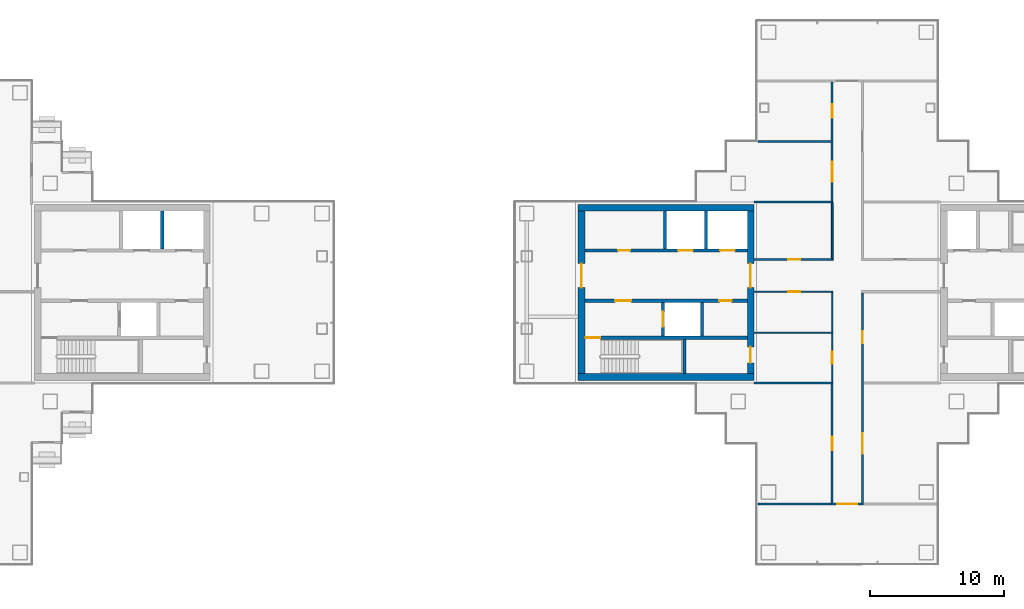
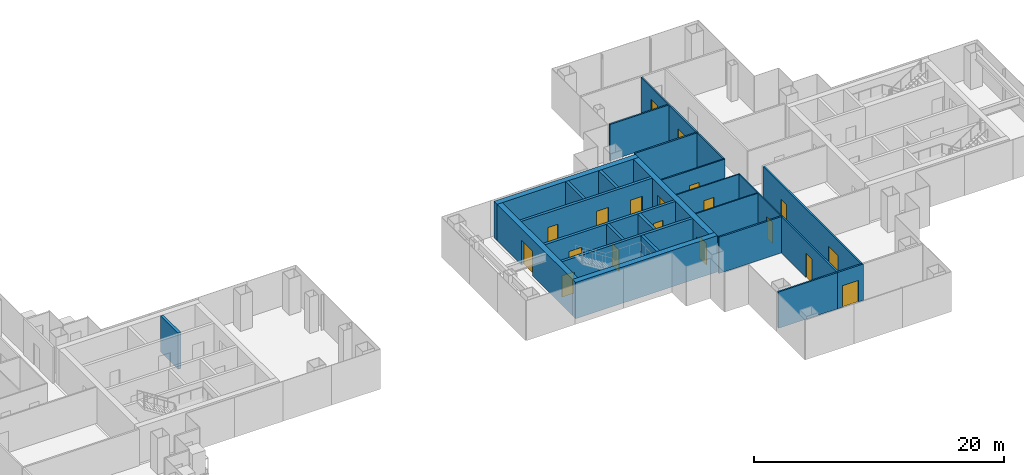
# One storey, part 11 of 16: 26 walls, 19 doors, 19 openings.
"""IFC4 building model written with IfcOpenShell, lengths in metres."""

from ifc_helpers import new_model, si_unit, direction, frame, frame_2d, origin, place, context, subcontext, project, spatial, rectangle, extrude, material, layer, layer_set, type_object, element, fill, save


model = new_model("IFC4")

# Units and contexts
model_context = context("Model", 3, precision=1e-05, world=origin(), true_north=direction((0.0, 1.0)))
body_context = subcontext(model_context, "Body", "Model", "MODEL_VIEW")
ifc_project = project(units=[si_unit("LENGTHUNIT", "METRE"), si_unit("AREAUNIT", "SQUARE_METRE"), si_unit("VOLUMEUNIT", "CUBIC_METRE"), si_unit("PLANEANGLEUNIT", "RADIAN"), si_unit("MASSUNIT", "GRAM", prefix="KILO")], contexts=[model_context])

# Site, building, storey
site_placement = place(None, origin())
site = spatial("IfcSite", under=ifc_project, at=site_placement, CompositionType="ELEMENT")
building_placement = place(site_placement, origin())
building = spatial("IfcBuilding", under=site, at=building_placement, Name="Shamsa Quay Exchange Towers", CompositionType="ELEMENT")
storey_placement = place(building_placement, frame((0.0, 0.0, 158.39990234375)))
storey = spatial("IfcBuildingStorey", under=building, at=storey_placement, Name="L37", CompositionType="ELEMENT", Elevation=158.39990234375)

# Walls
ifc_material_1 = material(Name="Concrete C60/75", Category="concrete")
ifc_layer_1 = layer(ifc_material_1, 0.5)
ifc_layer_set_1 = layer_set([ifc_layer_1], Name="CORE WALL 500 C60/75")
wall_type_1 = type_object("IfcWallType", Name="CORE WALL 500 C60/75", PredefinedType="SHEAR", material=ifc_layer_set_1)
for number, where, name in (
    (1, (13.699951171875, -6.300048828125, 0.0), "Core wall T2A-R17-PS"),
    (2, (13.699951171875, 6.300048828125, 0.0), "Core wall T2A-R17-PN"),
):
    element("IfcWall", number, at=place(storey_placement, frame(where)), inside=storey, type_object=wall_type_1, Name=name, PredefinedType="SHEAR", context=body_context, shape_type="SweptSolid", body=[
        extrude(rectangle(XDim=13.10009765625, YDim=0.5, at=frame_2d((6.550048828125, 0.0))), origin(), (0.0, 0.0, 1.0), 3.550048828125),
    ])

# Wall, opening, door
wall_1_placement = place(storey_placement, frame((13.949951171875, 6.050048828125, 0.0), z_axis=(0.0, 0.0, 1.0), x_axis=(0.0, -1.0, 0.0)))
wall_1 = element("IfcWall", 3, at=wall_1_placement, inside=storey, type_object=wall_type_1, Name="Core wall T2A-R17-PF", PredefinedType="SHEAR", context=body_context, shape_type="SweptSolid", body=[
    extrude(rectangle(XDim=12.10009765625, YDim=0.5, at=frame_2d((6.050048828125, 0.0))), origin(), (0.0, 0.0, 1.0), 3.550048828125),
])
opening_1_placement = place(wall_1_placement, frame((3.89990234375, 0.0, 0.0)))
opening_1 = element("IfcOpeningElement", 4, at=opening_1_placement, cuts=wall_1, Name="Opening T2A-R17-LBD01", PredefinedType="OPENING", context=body_context, shape_type="SweptSolid", body=[
    extrude(rectangle(XDim=1.800048828125, YDim=2.39990234375, at=frame_2d((0.89990234375, 1.199951171875))), frame((0.0, 0.260009765625, 0.0), z_axis=(0.0, -1.0, 0.0), x_axis=(1.0, 0.0, 0.0)), (0.0, 0.0, 1.0), 0.52001953125),
])
ifc_material_2 = material(Name="Steel, fire rated", Category="steel")
door_type_1 = type_object("IfcDoorType", Name="LIFT LOBBY DOOR PAIR 1800", OperationType="DOUBLE_DOOR_SINGLE_SWING", PredefinedType="DOOR", material=ifc_material_2)
door_1_placement = place(opening_1_placement, origin())
door_1 = element("IfcDoor", 5, at=door_1_placement, inside=storey, type_object=door_type_1, Name="T2A-R17-LBD01", OperationType="DOUBLE_DOOR_SINGLE_SWING", OverallHeight=2.39990234375, OverallWidth=1.800048828125, PredefinedType="DOOR", context=body_context, shape_type="SweptSolid", body=[
    extrude(rectangle(XDim=1.800048828125, YDim=2.39990234375, at=frame_2d((0.89990234375, 1.199951171875))), frame((0.0, 0.02490234375, 0.0), z_axis=(0.0, -1.0, 0.0), x_axis=(1.0, 0.0, 0.0)), (0.0, 0.0, 1.0), 0.050048828125),
])
fill(opening_1, door_1)

# Wall, openings, doors
wall_2_placement = place(storey_placement, frame((26.550048828125, 6.050048828125, 0.0), z_axis=(0.0, 0.0, 1.0), x_axis=(0.0, -1.0, 0.0)))
wall_2 = element("IfcWall", 6, at=wall_2_placement, inside=storey, type_object=wall_type_1, Name="Core wall T2A-R17-PB", PredefinedType="SHEAR", context=body_context, shape_type="SweptSolid", body=[
    extrude(rectangle(XDim=12.10009765625, YDim=0.5, at=frame_2d((6.050048828125, 0.0))), origin(), (0.0, 0.0, 1.0), 3.550048828125),
])
opening_2_placement = place(wall_2_placement, frame((10.10009765625, 0.0, 0.0)))
opening_2 = element("IfcOpeningElement", 7, at=opening_2_placement, cuts=wall_2, Name="Opening T2A-R17-RD02", PredefinedType="OPENING", context=body_context, shape_type="SweptSolid", body=[
    extrude(rectangle(XDim=1.199951171875, YDim=2.10009765625, at=frame_2d((0.60009765625, 1.050048828125))), frame((0.0, 0.260009765625, 0.0), z_axis=(0.0, -1.0, 0.0), x_axis=(1.0, 0.0, 0.0)), (0.0, 0.0, 1.0), 0.52001953125),
])
opening_3_placement = place(wall_2_placement, frame((3.89990234375, 0.0, 0.0)))
opening_3 = element("IfcOpeningElement", 8, at=opening_3_placement, cuts=wall_2, Name="Opening T2A-R17-LBD03", PredefinedType="OPENING", context=body_context, shape_type="SweptSolid", body=[
    extrude(rectangle(XDim=1.800048828125, YDim=2.39990234375, at=frame_2d((0.89990234375, 1.199951171875))), frame((0.0, 0.260009765625, 0.0), z_axis=(0.0, -1.0, 0.0), x_axis=(1.0, 0.0, 0.0)), (0.0, 0.0, 1.0), 0.52001953125),
])
door_2_placement = place(opening_3_placement, origin())
door_2 = element("IfcDoor", 9, at=door_2_placement, inside=storey, type_object=door_type_1, Name="T2A-R17-LBD03", OperationType="DOUBLE_DOOR_SINGLE_SWING", OverallHeight=2.39990234375, OverallWidth=1.800048828125, PredefinedType="DOOR", context=body_context, shape_type="SweptSolid", body=[
    extrude(rectangle(XDim=1.800048828125, YDim=2.39990234375, at=frame_2d((0.89990234375, 1.199951171875))), frame((0.0, 0.02490234375, 0.0), z_axis=(0.0, -1.0, 0.0), x_axis=(1.0, 0.0, 0.0)), (0.0, 0.0, 1.0), 0.050048828125),
])
fill(opening_3, door_2)
door_type_2 = type_object("IfcDoorType", Name="RISER ACCESS DOOR 1200", OperationType="SINGLE_SWING_LEFT", PredefinedType="DOOR", material=ifc_material_2)
door_3_placement = place(opening_2_placement, origin())
door_3 = element("IfcDoor", 10, at=door_3_placement, inside=storey, type_object=door_type_2, Name="T2A-R17-RD02", OperationType="SINGLE_SWING_RIGHT", OverallHeight=2.10009765625, OverallWidth=1.199951171875, PredefinedType="DOOR", context=body_context, shape_type="SweptSolid", body=[
    extrude(rectangle(XDim=1.199951171875, YDim=2.10009765625, at=frame_2d((0.60009765625, 1.050048828125))), frame((0.0, 0.02490234375, 0.0), z_axis=(0.0, -1.0, 0.0), x_axis=(1.0, 0.0, 0.0)), (0.0, 0.0, 1.0), 0.050048828125),
])
fill(opening_2, door_3)

# Wall
ifc_material_3 = material(Name="Laminated fire-resisting glass in a metal frame", Category="glass")
ifc_layer_2 = layer(ifc_material_3, 0.125)
ifc_layer_set_2 = layer_set([ifc_layer_2], Name="Glazed partition 125 mm EI 60")
wall_type_2 = type_object("IfcWallType", Name="Glazed partition 125 mm EI 60", PredefinedType="PARTITIONING", material=ifc_layer_set_2)
wall_3_placement = place(storey_placement, frame((32.625, 2.5126953125, 0.0), z_axis=(0.0, 0.0, 1.0), x_axis=(0.0, 1.0, 0.0)))
element("IfcWall", 11, at=wall_3_placement, inside=storey, type_object=wall_type_2, Name="Partition T2-R17-W01", PredefinedType="PARTITIONING", context=body_context, shape_type="SweptSolid", body=[
    extrude(rectangle(XDim=4.162353515625, YDim=0.125, at=frame_2d((2.0810546875, 0.0))), origin(), (0.0, 0.0, 1.0), 3.550048828125),
])

# Wall, opening, door
wall_4_placement = place(storey_placement, frame((26.800048828125, 2.4501953125, 0.0)))
wall_4 = element("IfcWall", 12, at=wall_4_placement, inside=storey, type_object=wall_type_2, Name="Partition T2-R17-W02", PredefinedType="PARTITIONING", context=body_context, shape_type="SweptSolid", body=[
    extrude(rectangle(XDim=5.887451171875, YDim=0.125, at=frame_2d((2.94384765625, 0.0))), origin(), (0.0, 0.0, 1.0), 3.550048828125),
])
opening_4_placement = place(wall_4_placement, frame((2.5625, 0.0, 0.0)))
opening_4 = element("IfcOpeningElement", 13, at=opening_4_placement, cuts=wall_4, Name="Opening T2-R17-D09", PredefinedType="OPENING", context=body_context, shape_type="SweptSolid", body=[
    extrude(rectangle(XDim=0.89990234375, YDim=2.10009765625, at=frame_2d((0.449951171875, 1.050048828125))), frame((0.0, 0.072509765625, 0.0), z_axis=(0.0, -1.0, 0.0), x_axis=(1.0, 0.0, 0.0)), (0.0, 0.0, 1.0), 0.14501953125),
])
ifc_material_4 = material(Name="Timber door leaf in a metal frame", Category="wood")
door_type_3 = type_object("IfcDoorType", Name="Door 900x2100 FD30S", OperationType="NOTDEFINED", PredefinedType="DOOR", material=ifc_material_4)
door_4_placement = place(opening_4_placement, origin())
door_4 = element("IfcDoor", 14, at=door_4_placement, inside=storey, type_object=door_type_3, Name="Door T2-R17-D09", OperationType="SINGLE_SWING_LEFT", OverallHeight=2.10009765625, OverallWidth=0.89990234375, PredefinedType="DOOR", context=body_context, shape_type="SweptSolid", body=[
    extrude(rectangle(XDim=0.89990234375, YDim=2.10009765625, at=frame_2d((0.449951171875, 1.050048828125))), frame((0.0, 0.02490234375, 0.0), z_axis=(0.0, -1.0, 0.0), x_axis=(1.0, 0.0, 0.0)), (0.0, 0.0, 1.0), 0.050048828125),
])
fill(opening_4, door_4)

ifc_material_5 = material(Name="Gypsum board partition on metal studs")
ifc_layer_3 = layer(ifc_material_5, 0.10009765625)
ifc_layer_set_3 = layer_set([ifc_layer_3], Name="Partition 100 mm NOT RATED")
wall_type_3 = type_object("IfcWallType", Name="Partition 100 mm NOT RATED", PredefinedType="PARTITIONING", material=ifc_layer_set_3)
wall_5_placement = place(storey_placement, frame((32.625, -6.675048828125, 0.0), z_axis=(0.0, 0.0, 1.0), x_axis=(0.0, 1.0, 0.0)))
wall_5 = element("IfcWall", 15, at=wall_5_placement, inside=storey, type_object=wall_type_3, Name="Partition T2-R17-W03", PredefinedType="PARTITIONING", context=body_context, shape_type="SweptSolid", body=[
    extrude(rectangle(XDim=6.6748046875, YDim=0.10009765625, at=frame_2d((3.33740234375, 0.0))), origin(), (0.0, 0.0, 1.0), 3.550048828125),
])
opening_5_placement = place(wall_5_placement, frame((1.35009765625, 0.0, 0.0)))
opening_5 = element("IfcOpeningElement", 16, at=opening_5_placement, cuts=wall_5, Name="Opening T2-R17-D08", PredefinedType="OPENING", context=body_context, shape_type="SweptSolid", body=[
    extrude(rectangle(XDim=0.89990234375, YDim=2.10009765625, at=frame_2d((0.449951171875, 1.050048828125))), frame((0.0, 0.06005859375, 0.0), z_axis=(0.0, -1.0, 0.0), x_axis=(1.0, 0.0, 0.0)), (0.0, 0.0, 1.0), 0.1201171875),
])
door_type_4 = type_object("IfcDoorType", Name="Door 900x2100 NOT RATED", OperationType="NOTDEFINED", PredefinedType="DOOR", material=ifc_material_4)
door_5_placement = place(opening_5_placement, origin())
door_5 = element("IfcDoor", 17, at=door_5_placement, inside=storey, type_object=door_type_4, Name="Door T2-R17-D08", OperationType="SINGLE_SWING_LEFT", OverallHeight=2.10009765625, OverallWidth=0.89990234375, PredefinedType="DOOR", context=body_context, shape_type="SweptSolid", body=[
    extrude(rectangle(XDim=0.89990234375, YDim=2.10009765625, at=frame_2d((0.449951171875, 1.050048828125))), frame((0.0, 0.02490234375, 0.0), z_axis=(0.0, -1.0, 0.0), x_axis=(1.0, 0.0, 0.0)), (0.0, 0.0, 1.0), 0.050048828125),
])
fill(opening_5, door_5)

wall_6_placement = place(storey_placement, frame((32.675048828125, 0.0498046875, 0.0), z_axis=(0.0, 0.0, 1.0), x_axis=(-1.0, 0.0, 0.0)))
wall_6 = element("IfcWall", 18, at=wall_6_placement, inside=storey, type_object=wall_type_3, Name="Partition T2-R17-W04", PredefinedType="PARTITIONING", context=body_context, shape_type="SweptSolid", body=[
    extrude(rectangle(XDim=5.875, YDim=0.10009765625, at=frame_2d((2.9375, 0.0))), origin(), (0.0, 0.0, 1.0), 3.550048828125),
])
opening_6_placement = place(wall_6_placement, frame((2.41259765625, 0.0, 0.0)))
opening_6 = element("IfcOpeningElement", 19, at=opening_6_placement, cuts=wall_6, Name="Opening T2-R17-D12", PredefinedType="OPENING", context=body_context, shape_type="SweptSolid", body=[
    extrude(rectangle(XDim=0.89990234375, YDim=2.10009765625, at=frame_2d((0.449951171875, 1.050048828125))), frame((0.0, 0.06005859375, 0.0), z_axis=(0.0, -1.0, 0.0), x_axis=(1.0, 0.0, 0.0)), (0.0, 0.0, 1.0), 0.1201171875),
])
door_6_placement = place(opening_6_placement, origin())
door_6 = element("IfcDoor", 20, at=door_6_placement, inside=storey, type_object=door_type_4, Name="Door T2-R17-D12", OperationType="SINGLE_SWING_RIGHT", OverallHeight=2.10009765625, OverallWidth=0.89990234375, PredefinedType="DOOR", context=body_context, shape_type="SweptSolid", body=[
    extrude(rectangle(XDim=0.89990234375, YDim=2.10009765625, at=frame_2d((0.449951171875, 1.050048828125))), frame((0.0, 0.02490234375, 0.0), z_axis=(0.0, -1.0, 0.0), x_axis=(1.0, 0.0, 0.0)), (0.0, 0.0, 1.0), 0.050048828125),
])
fill(opening_6, door_6)

# Wall
wall_7_placement = place(storey_placement, frame((32.574951171875, -3.0, 0.0), z_axis=(0.0, 0.0, 1.0), x_axis=(-1.0, 0.0, 0.0)))
element("IfcWall", 21, at=wall_7_placement, inside=storey, type_object=wall_type_3, Name="Partition T2-R17-W15", PredefinedType="PARTITIONING", context=body_context, shape_type="SweptSolid", body=[
    extrude(rectangle(XDim=5.77490234375, YDim=0.10009765625, at=frame_2d((2.887451171875, 0.0))), origin(), (0.0, 0.0, 1.0), 3.550048828125),
])

# Wall, openings, doors
ifc_layer_4 = layer(ifc_material_5, 0.14990234375)
ifc_layer_set_4 = layer_set([ifc_layer_4], Name="Partition 150 mm EI 60")
wall_type_4 = type_object("IfcWallType", Name="Partition 150 mm EI 60", PredefinedType="PARTITIONING", material=ifc_layer_set_4)
wall_8_placement = place(storey_placement, frame((34.875, -0.025146484375, 0.0), z_axis=(0.0, 0.0, 1.0), x_axis=(0.0, -1.0, 0.0)))
wall_8 = element("IfcWall", 22, at=wall_8_placement, inside=storey, type_object=wall_type_4, Name="Partition T2-R17-W06", PredefinedType="PARTITIONING", context=body_context, shape_type="SweptSolid", body=[
    extrude(rectangle(XDim=15.64990234375, YDim=0.14990234375, at=frame_2d((7.824951171875, 0.0))), origin(), (0.0, 0.0, 1.0), 3.550048828125),
])
opening_7_placement = place(wall_8_placement, frame((10.474853515625, 0.0, 0.0)))
opening_7 = element("IfcOpeningElement", 23, at=opening_7_placement, cuts=wall_8, Name="Opening T2-R17-D02", PredefinedType="OPENING", context=body_context, shape_type="SweptSolid", body=[
    extrude(rectangle(XDim=1.5, YDim=2.10009765625, at=frame_2d((0.75, 1.050048828125))), frame((0.0, 0.0849609375, 0.0), z_axis=(0.0, -1.0, 0.0), x_axis=(1.0, 0.0, 0.0)), (0.0, 0.0, 1.0), 0.169921875),
])
opening_8_placement = place(wall_8_placement, frame((2.875, 0.0, 0.0)))
opening_8 = element("IfcOpeningElement", 24, at=opening_8_placement, cuts=wall_8, Name="Opening T2-R17-D03", PredefinedType="OPENING", context=body_context, shape_type="SweptSolid", body=[
    extrude(rectangle(XDim=0.89990234375, YDim=2.10009765625, at=frame_2d((0.449951171875, 1.050048828125))), frame((0.0, 0.0849609375, 0.0), z_axis=(0.0, -1.0, 0.0), x_axis=(1.0, 0.0, 0.0)), (0.0, 0.0, 1.0), 0.169921875),
])
door_type_5 = type_object("IfcDoorType", Name="Door 1500x2100 FD30S pair", OperationType="NOTDEFINED", PredefinedType="DOOR", material=ifc_material_4)
door_7_placement = place(opening_7_placement, origin())
door_7 = element("IfcDoor", 25, at=door_7_placement, inside=storey, type_object=door_type_5, Name="Door T2-R17-D02", OperationType="DOUBLE_DOOR_SINGLE_SWING", OverallHeight=2.10009765625, OverallWidth=1.5, PredefinedType="DOOR", context=body_context, shape_type="SweptSolid", body=[
    extrude(rectangle(XDim=1.5, YDim=2.10009765625, at=frame_2d((0.75, 1.050048828125))), frame((0.0, 0.02490234375, 0.0), z_axis=(0.0, -1.0, 0.0), x_axis=(1.0, 0.0, 0.0)), (0.0, 0.0, 1.0), 0.050048828125),
])
fill(opening_7, door_7)
door_8_placement = place(opening_8_placement, origin())
door_8 = element("IfcDoor", 26, at=door_8_placement, inside=storey, type_object=door_type_3, Name="Door T2-R17-D03", OperationType="SINGLE_SWING_RIGHT", OverallHeight=2.10009765625, OverallWidth=0.89990234375, PredefinedType="DOOR", context=body_context, shape_type="SweptSolid", body=[
    extrude(rectangle(XDim=0.89990234375, YDim=2.10009765625, at=frame_2d((0.449951171875, 1.050048828125))), frame((0.0, 0.02490234375, 0.0), z_axis=(0.0, -1.0, 0.0), x_axis=(1.0, 0.0, 0.0)), (0.0, 0.0, 1.0), 0.050048828125),
])
fill(opening_8, door_8)

wall_9_placement = place(storey_placement, frame((32.625, 6.824951171875, 0.0), z_axis=(0.0, 0.0, 1.0), x_axis=(0.0, 1.0, 0.0)))
wall_9 = element("IfcWall", 27, at=wall_9_placement, inside=storey, type_object=wall_type_4, Name="Partition T2-R17-W09", PredefinedType="PARTITIONING", context=body_context, shape_type="SweptSolid", body=[
    extrude(rectangle(XDim=8.85009765625, YDim=0.14990234375, at=frame_2d((4.425048828125, 0.0))), origin(), (0.0, 0.0, 1.0), 3.550048828125),
])
opening_9_placement = place(wall_9_placement, frame((6.175048828125, 0.0, 0.0)))
opening_9 = element("IfcOpeningElement", 28, at=opening_9_placement, cuts=wall_9, Name="Opening T2-R17-D10", PredefinedType="OPENING", context=body_context, shape_type="SweptSolid", body=[
    extrude(rectangle(XDim=1.0, YDim=2.39990234375, at=frame_2d((0.5, 1.199951171875))), frame((0.0, 0.0849609375, 0.0), z_axis=(0.0, -1.0, 0.0), x_axis=(1.0, 0.0, 0.0)), (0.0, 0.0, 1.0), 0.169921875),
])
opening_10_placement = place(wall_9_placement, frame((1.425048828125, 0.0, 0.0)))
opening_10 = element("IfcOpeningElement", 29, at=opening_10_placement, cuts=wall_9, Name="Opening T2-R17-D11", PredefinedType="OPENING", context=body_context, shape_type="SweptSolid", body=[
    extrude(rectangle(XDim=1.5, YDim=2.10009765625, at=frame_2d((0.75, 1.050048828125))), frame((0.0, 0.0849609375, 0.0), z_axis=(0.0, -1.0, 0.0), x_axis=(1.0, 0.0, 0.0)), (0.0, 0.0, 1.0), 0.169921875),
])
door_type_6 = type_object("IfcDoorType", Name="Door 1000x2400 FD30S", OperationType="NOTDEFINED", PredefinedType="DOOR", material=ifc_material_4)
door_9_placement = place(opening_9_placement, origin())
door_9 = element("IfcDoor", 30, at=door_9_placement, inside=storey, type_object=door_type_6, Name="Door T2-R17-D10", OperationType="SINGLE_SWING_LEFT", OverallHeight=2.39990234375, OverallWidth=1.0, PredefinedType="DOOR", context=body_context, shape_type="SweptSolid", body=[
    extrude(rectangle(XDim=1.0, YDim=2.39990234375, at=frame_2d((0.5, 1.199951171875))), frame((0.0, 0.02490234375, 0.0), z_axis=(0.0, -1.0, 0.0), x_axis=(1.0, 0.0, 0.0)), (0.0, 0.0, 1.0), 0.050048828125),
])
fill(opening_9, door_9)
door_10_placement = place(opening_10_placement, origin())
door_10 = element("IfcDoor", 31, at=door_10_placement, inside=storey, type_object=door_type_5, Name="Door T2-R17-D11", OperationType="DOUBLE_DOOR_SINGLE_SWING", OverallHeight=2.10009765625, OverallWidth=1.5, PredefinedType="DOOR", context=body_context, shape_type="SweptSolid", body=[
    extrude(rectangle(XDim=1.5, YDim=2.10009765625, at=frame_2d((0.75, 1.050048828125))), frame((0.0, 0.02490234375, 0.0), z_axis=(0.0, -1.0, 0.0), x_axis=(1.0, 0.0, 0.0)), (0.0, 0.0, 1.0), 0.050048828125),
])
fill(opening_10, door_10)

# Wall, opening, door
wall_10_placement = place(storey_placement, frame((32.625, -15.675048828125, 0.0), z_axis=(0.0, 0.0, 1.0), x_axis=(0.0, 1.0, 0.0)))
wall_10 = element("IfcWall", 32, at=wall_10_placement, inside=storey, type_object=wall_type_4, Name="Partition T2-R17-W10", PredefinedType="PARTITIONING", context=body_context, shape_type="SweptSolid", body=[
    extrude(rectangle(XDim=8.85009765625, YDim=0.14990234375, at=frame_2d((4.425048828125, 0.0))), origin(), (0.0, 0.0, 1.0), 3.550048828125),
])
opening_11_placement = place(wall_10_placement, frame((3.925048828125, 0.0, 0.0)))
opening_11 = element("IfcOpeningElement", 33, at=opening_11_placement, cuts=wall_10, Name="Opening T2-R17-D07", PredefinedType="OPENING", context=body_context, shape_type="SweptSolid", body=[
    extrude(rectangle(XDim=1.0, YDim=2.39990234375, at=frame_2d((0.5, 1.199951171875))), frame((0.0, 0.0849609375, 0.0), z_axis=(0.0, -1.0, 0.0), x_axis=(1.0, 0.0, 0.0)), (0.0, 0.0, 1.0), 0.169921875),
])
door_11_placement = place(opening_11_placement, origin())
door_11 = element("IfcDoor", 34, at=door_11_placement, inside=storey, type_object=door_type_6, Name="Door T2-R17-D07", OperationType="SINGLE_SWING_LEFT", OverallHeight=2.39990234375, OverallWidth=1.0, PredefinedType="DOOR", context=body_context, shape_type="SweptSolid", body=[
    extrude(rectangle(XDim=1.0, YDim=2.39990234375, at=frame_2d((0.5, 1.199951171875))), frame((0.0, 0.02490234375, 0.0), z_axis=(0.0, -1.0, 0.0), x_axis=(1.0, 0.0, 0.0)), (0.0, 0.0, 1.0), 0.050048828125),
])
fill(opening_11, door_11)

wall_11_placement = place(storey_placement, frame((34.949951171875, -15.75, 0.0), z_axis=(0.0, 0.0, 1.0), x_axis=(-1.0, 0.0, 0.0)))
wall_11 = element("IfcWall", 35, at=wall_11_placement, inside=storey, type_object=wall_type_4, Name="Partition T2-R17-W12", PredefinedType="PARTITIONING", context=body_context, shape_type="SweptSolid", body=[
    extrude(rectangle(XDim=2.39990234375, YDim=0.14990234375, at=frame_2d((1.199951171875, 0.0))), origin(), (0.0, 0.0, 1.0), 3.550048828125),
])
opening_12_placement = place(wall_11_placement, frame((0.449951171875, 0.0, 0.0)))
opening_12 = element("IfcOpeningElement", 36, at=opening_12_placement, cuts=wall_11, Name="Opening T2-R17-D06", PredefinedType="OPENING", context=body_context, shape_type="SweptSolid", body=[
    extrude(rectangle(XDim=1.5, YDim=2.10009765625, at=frame_2d((0.75, 1.050048828125))), frame((0.0, 0.0849609375, 0.0), z_axis=(0.0, -1.0, 0.0), x_axis=(1.0, 0.0, 0.0)), (0.0, 0.0, 1.0), 0.169921875),
])
door_12_placement = place(opening_12_placement, origin())
door_12 = element("IfcDoor", 37, at=door_12_placement, inside=storey, type_object=door_type_5, Name="Door T2-R17-D06", OperationType="DOUBLE_DOOR_SINGLE_SWING", OverallHeight=2.10009765625, OverallWidth=1.5, PredefinedType="DOOR", context=body_context, shape_type="SweptSolid", body=[
    extrude(rectangle(XDim=1.5, YDim=2.10009765625, at=frame_2d((0.75, 1.050048828125))), frame((0.0, 0.02490234375, 0.0), z_axis=(0.0, -1.0, 0.0), x_axis=(1.0, 0.0, 0.0)), (0.0, 0.0, 1.0), 0.050048828125),
])
fill(opening_12, door_12)

# Walls
wall_12_placement = place(storey_placement, frame((32.699951171875, 6.75, 0.0), z_axis=(0.0, 0.0, 1.0), x_axis=(-1.0, 0.0, 0.0)))
element("IfcWall", 38, at=wall_12_placement, inside=storey, type_object=wall_type_4, Name="Partition T2-R17-W13", PredefinedType="PARTITIONING", context=body_context, shape_type="SweptSolid", body=[
    extrude(rectangle(XDim=5.89990234375, YDim=0.14990234375, at=frame_2d((2.949951171875, 0.0))), origin(), (0.0, 0.0, 1.0), 3.550048828125),
])
wall_13_placement = place(storey_placement, frame((26.800048828125, -6.75, 0.0)))
element("IfcWall", 39, at=wall_13_placement, inside=storey, type_object=wall_type_4, Name="Partition T2-R17-W17", PredefinedType="PARTITIONING", context=body_context, shape_type="SweptSolid", body=[
    extrude(rectangle(XDim=5.89990234375, YDim=0.14990234375, at=frame_2d((2.949951171875, 0.0))), origin(), (0.0, 0.0, 1.0), 3.550048828125),
])
wall_14_placement = place(storey_placement, frame((32.550048828125, 11.25, 0.0), z_axis=(0.0, 0.0, 1.0), x_axis=(-1.0, 0.0, 0.0)))
element("IfcWall", 40, at=wall_14_placement, inside=storey, type_object=wall_type_4, Name="Partition T2-R17-W18", PredefinedType="PARTITIONING", context=body_context, shape_type="SweptSolid", body=[
    extrude(rectangle(XDim=5.455078125, YDim=0.14990234375, at=frame_2d((2.7275390625, 0.0))), origin(), (0.0, 0.0, 1.0), 3.550048828125),
])
wall_15_placement = place(storey_placement, frame((27.094970703125, -15.75, 0.0)))
element("IfcWall", 41, at=wall_15_placement, inside=storey, type_object=wall_type_4, Name="Partition T2-R17-W22", PredefinedType="PARTITIONING", context=body_context, shape_type="SweptSolid", body=[
    extrude(rectangle(XDim=5.60498046875, YDim=0.14990234375, at=frame_2d((2.802490234375, 0.0))), origin(), (0.0, 0.0, 1.0), 3.550048828125),
])
ifc_material_6 = material(Name="Concrete C50/60", Category="concrete")
ifc_layer_5 = layer(ifc_material_6, 0.25)
ifc_layer_set_5 = layer_set([ifc_layer_5], Name="SHAFT WALL 250 C50/60")
wall_type_5 = type_object("IfcWallType", Name="SHAFT WALL 250 C50/60", PredefinedType="SHEAR", material=ifc_layer_set_5)
wall_16_placement = place(storey_placement, frame((-17.27490234375, 3.25, 0.0), z_axis=(0.0, 0.0, 1.0), x_axis=(0.0, 1.0, 0.0)))
element("IfcWall", 42, at=wall_16_placement, inside=storey, type_object=wall_type_5, Name="Shaft wall T1A-R17-D2", PredefinedType="SHEAR", context=body_context, shape_type="SweptSolid", body=[
    extrude(rectangle(XDim=2.800048828125, YDim=0.25, at=frame_2d((1.39990234375, 0.0))), origin(), (0.0, 0.0, 1.0), 3.550048828125),
])

# Wall, opening, door
wall_17_placement = place(storey_placement, frame((26.300048828125, -3.375, 0.0), z_axis=(0.0, 0.0, 1.0), x_axis=(-1.0, 0.0, 0.0)))
wall_17 = element("IfcWall", 43, at=wall_17_placement, inside=storey, type_object=wall_type_5, Name="Shaft wall T2A-R17-STL", PredefinedType="SHEAR", context=body_context, shape_type="SweptSolid", body=[
    extrude(rectangle(XDim=12.10009765625, YDim=0.25, at=frame_2d((6.050048828125, 0.0))), origin(), (0.0, 0.0, 1.0), 3.550048828125),
])
opening_13_placement = place(wall_17_placement, frame((10.949951171875, 0.0, 0.0)))
opening_13 = element("IfcOpeningElement", 44, at=opening_13_placement, cuts=wall_17, Name="Opening T2A-R17-SD04", PredefinedType="OPENING", context=body_context, shape_type="SweptSolid", body=[
    extrude(rectangle(XDim=1.10009765625, YDim=2.10009765625, at=frame_2d((0.550048828125, 1.050048828125))), frame((0.0, 0.135009765625, 0.0), z_axis=(0.0, -1.0, 0.0), x_axis=(1.0, 0.0, 0.0)), (0.0, 0.0, 1.0), 0.27001953125),
])
door_type_7 = type_object("IfcDoorType", Name="STAIR DOOR 1100", OperationType="SINGLE_SWING_LEFT", PredefinedType="DOOR", material=ifc_material_2)
door_13_placement = place(opening_13_placement, origin())
door_13 = element("IfcDoor", 45, at=door_13_placement, inside=storey, type_object=door_type_7, Name="T2A-R17-SD04", OperationType="SINGLE_SWING_RIGHT", OverallHeight=2.10009765625, OverallWidth=1.10009765625, PredefinedType="DOOR", context=body_context, shape_type="SweptSolid", body=[
    extrude(rectangle(XDim=1.10009765625, YDim=2.10009765625, at=frame_2d((0.550048828125, 1.050048828125))), frame((0.0, 0.02490234375, 0.0), z_axis=(0.0, -1.0, 0.0), x_axis=(1.0, 0.0, 0.0)), (0.0, 0.0, 1.0), 0.050048828125),
])
fill(opening_13, door_13)

# Wall
wall_18_placement = place(storey_placement, frame((21.625, -6.050048828125, 0.0), z_axis=(0.0, 0.0, 1.0), x_axis=(0.0, 1.0, 0.0)))
element("IfcWall", 46, at=wall_18_placement, inside=storey, type_object=wall_type_5, Name="Shaft wall T2A-R17-STF", PredefinedType="SHEAR", context=body_context, shape_type="SweptSolid", body=[
    extrude(rectangle(XDim=2.550048828125, YDim=0.25, at=frame_2d((1.27490234375, 0.0))), origin(), (0.0, 0.0, 1.0), 3.550048828125),
])

# Wall, openings, doors
wall_19_placement = place(storey_placement, frame((26.300048828125, -0.625, 0.0), z_axis=(0.0, 0.0, 1.0), x_axis=(-1.0, 0.0, 0.0)))
wall_19 = element("IfcWall", 47, at=wall_19_placement, inside=storey, type_object=wall_type_5, Name="Shaft wall T2A-R17-B", PredefinedType="SHEAR", context=body_context, shape_type="SweptSolid", body=[
    extrude(rectangle(XDim=12.10009765625, YDim=0.25, at=frame_2d((6.050048828125, 0.0))), origin(), (0.0, 0.0, 1.0), 3.550048828125),
])
opening_14_placement = place(wall_19_placement, frame((8.64990234375, 0.0, 0.0)))
opening_14 = element("IfcOpeningElement", 48, at=opening_14_placement, cuts=wall_19, Name="Opening T2A-R17-FD05", PredefinedType="OPENING", context=body_context, shape_type="SweptSolid", body=[
    extrude(rectangle(XDim=1.199951171875, YDim=2.10009765625, at=frame_2d((0.60009765625, 1.050048828125))), frame((0.0, 0.135009765625, 0.0), z_axis=(0.0, -1.0, 0.0), x_axis=(1.0, 0.0, 0.0)), (0.0, 0.0, 1.0), 0.27001953125),
])
opening_15_placement = place(wall_19_placement, frame((1.175048828125, 0.0, 0.0)))
opening_15 = element("IfcOpeningElement", 49, at=opening_15_placement, cuts=wall_19, Name="Opening T2A-R17-SV06", PredefinedType="OPENING", context=body_context, shape_type="SweptSolid", body=[
    extrude(rectangle(XDim=0.89990234375, YDim=2.10009765625, at=frame_2d((0.449951171875, 1.050048828125))), frame((0.0, 0.135009765625, 0.0), z_axis=(0.0, -1.0, 0.0), x_axis=(1.0, 0.0, 0.0)), (0.0, 0.0, 1.0), 0.27001953125),
])
door_type_8 = type_object("IfcDoorType", Name="FIRE SERVICE LOBBY DOOR 1200", OperationType="SINGLE_SWING_LEFT", PredefinedType="DOOR", material=ifc_material_2)
door_14_placement = place(opening_14_placement, origin())
door_14 = element("IfcDoor", 50, at=door_14_placement, inside=storey, type_object=door_type_8, Name="T2A-R17-FD05", OperationType="SINGLE_SWING_RIGHT", OverallHeight=2.10009765625, OverallWidth=1.199951171875, PredefinedType="DOOR", context=body_context, shape_type="SweptSolid", body=[
    extrude(rectangle(XDim=1.199951171875, YDim=2.10009765625, at=frame_2d((0.60009765625, 1.050048828125))), frame((0.0, 0.02490234375, 0.0), z_axis=(0.0, -1.0, 0.0), x_axis=(1.0, 0.0, 0.0)), (0.0, 0.0, 1.0), 0.050048828125),
])
fill(opening_14, door_14)
door_type_9 = type_object("IfcDoorType", Name="SERVICE ROOM DOOR 900", OperationType="SINGLE_SWING_LEFT", PredefinedType="DOOR", material=ifc_material_2)
door_15_placement = place(opening_15_placement, origin())
door_15 = element("IfcDoor", 51, at=door_15_placement, inside=storey, type_object=door_type_9, Name="T2A-R17-SV06", OperationType="SINGLE_SWING_LEFT", OverallHeight=2.10009765625, OverallWidth=0.89990234375, PredefinedType="DOOR", context=body_context, shape_type="SweptSolid", body=[
    extrude(rectangle(XDim=0.89990234375, YDim=2.10009765625, at=frame_2d((0.449951171875, 1.050048828125))), frame((0.0, 0.02490234375, 0.0), z_axis=(0.0, -1.0, 0.0), x_axis=(1.0, 0.0, 0.0)), (0.0, 0.0, 1.0), 0.050048828125),
])
fill(opening_15, door_15)

# Wall, opening, door
wall_20_placement = place(storey_placement, frame((20.02490234375, -3.25, 0.0), z_axis=(0.0, 0.0, 1.0), x_axis=(0.0, 1.0, 0.0)))
wall_20 = element("IfcWall", 52, at=wall_20_placement, inside=storey, type_object=wall_type_5, Name="Shaft wall T2A-R17-FFF", PredefinedType="SHEAR", context=body_context, shape_type="SweptSolid", body=[
    extrude(rectangle(XDim=2.5, YDim=0.25, at=frame_2d((1.25, 0.0))), origin(), (0.0, 0.0, 1.0), 3.550048828125),
])
opening_16_placement = place(wall_20_placement, frame((0.699951171875, 0.0, 0.0)))
opening_16 = element("IfcOpeningElement", 53, at=opening_16_placement, cuts=wall_20, Name="Opening T2A-R17-LDF07", PredefinedType="OPENING", context=body_context, shape_type="SweptSolid", body=[
    extrude(rectangle(XDim=1.10009765625, YDim=2.10009765625, at=frame_2d((0.550048828125, 1.050048828125))), frame((0.0, 0.135009765625, 0.0), z_axis=(0.0, -1.0, 0.0), x_axis=(1.0, 0.0, 0.0)), (0.0, 0.0, 1.0), 0.27001953125),
])
door_type_10 = type_object("IfcDoorType", Name="FIRE SERVICE LANDING DOOR 1100", OperationType="SLIDING_TO_LEFT", PredefinedType="DOOR", material=ifc_material_2)
door_16_placement = place(opening_16_placement, origin())
door_16 = element("IfcDoor", 54, at=door_16_placement, inside=storey, type_object=door_type_10, Name="T2A-R17-LDF07", OperationType="SLIDING_TO_LEFT", OverallHeight=2.10009765625, OverallWidth=1.10009765625, PredefinedType="DOOR", context=body_context, shape_type="SweptSolid", body=[
    extrude(rectangle(XDim=1.10009765625, YDim=2.10009765625, at=frame_2d((0.550048828125, 1.050048828125))), frame((0.0, 0.02490234375, 0.0), z_axis=(0.0, -1.0, 0.0), x_axis=(1.0, 0.0, 0.0)), (0.0, 0.0, 1.0), 0.050048828125),
])
fill(opening_16, door_16)

# Wall
wall_21_placement = place(storey_placement, frame((22.925048828125, -3.25, 0.0), z_axis=(0.0, 0.0, 1.0), x_axis=(0.0, 1.0, 0.0)))
element("IfcWall", 55, at=wall_21_placement, inside=storey, type_object=wall_type_5, Name="Shaft wall T2A-R17-FFB", PredefinedType="SHEAR", context=body_context, shape_type="SweptSolid", body=[
    extrude(rectangle(XDim=2.5, YDim=0.25, at=frame_2d((1.25, 0.0))), origin(), (0.0, 0.0, 1.0), 3.550048828125),
])

# Wall, openings, doors
wall_22_placement = place(storey_placement, frame((14.199951171875, 3.125, 0.0)))
wall_22 = element("IfcWall", 56, at=wall_22_placement, inside=storey, type_object=wall_type_5, Name="Shaft wall T2A-R17-N", PredefinedType="SHEAR", context=body_context, shape_type="SweptSolid", body=[
    extrude(rectangle(XDim=12.10009765625, YDim=0.25, at=frame_2d((6.050048828125, 0.0))), origin(), (0.0, 0.0, 1.0), 3.550048828125),
])
opening_17_placement = place(wall_22_placement, frame((6.949951171875, 0.0, 0.0)))
opening_17 = element("IfcOpeningElement", 57, at=opening_17_placement, cuts=wall_22, Name="Opening T2A-R17-LD08", PredefinedType="OPENING", context=body_context, shape_type="SweptSolid", body=[
    extrude(rectangle(XDim=1.10009765625, YDim=2.10009765625, at=frame_2d((0.550048828125, 1.050048828125))), frame((0.0, 0.135009765625, 0.0), z_axis=(0.0, -1.0, 0.0), x_axis=(1.0, 0.0, 0.0)), (0.0, 0.0, 1.0), 0.27001953125),
])
opening_18_placement = place(wall_22_placement, frame((10.074951171875, 0.0, 0.0)))
opening_18 = element("IfcOpeningElement", 58, at=opening_18_placement, cuts=wall_22, Name="Opening T2A-R17-LD09", PredefinedType="OPENING", context=body_context, shape_type="SweptSolid", body=[
    extrude(rectangle(XDim=1.10009765625, YDim=2.10009765625, at=frame_2d((0.550048828125, 1.050048828125))), frame((0.0, 0.135009765625, 0.0), z_axis=(0.0, -1.0, 0.0), x_axis=(1.0, 0.0, 0.0)), (0.0, 0.0, 1.0), 0.27001953125),
])
opening_19_placement = place(wall_22_placement, frame((2.47509765625, 0.0, 0.0)))
opening_19 = element("IfcOpeningElement", 59, at=opening_19_placement, cuts=wall_22, Name="Opening T2A-R17-SV10", PredefinedType="OPENING", context=body_context, shape_type="SweptSolid", body=[
    extrude(rectangle(XDim=0.89990234375, YDim=2.10009765625, at=frame_2d((0.449951171875, 1.050048828125))), frame((0.0, 0.135009765625, 0.0), z_axis=(0.0, -1.0, 0.0), x_axis=(1.0, 0.0, 0.0)), (0.0, 0.0, 1.0), 0.27001953125),
])
door_type_11 = type_object("IfcDoorType", Name="LANDING DOOR 1100", OperationType="SLIDING_TO_LEFT", PredefinedType="DOOR", material=ifc_material_2)
door_17_placement = place(opening_17_placement, origin())
door_17 = element("IfcDoor", 60, at=door_17_placement, inside=storey, type_object=door_type_11, Name="T2A-R17-LD08", OperationType="SLIDING_TO_LEFT", OverallHeight=2.10009765625, OverallWidth=1.10009765625, PredefinedType="DOOR", context=body_context, shape_type="SweptSolid", body=[
    extrude(rectangle(XDim=1.10009765625, YDim=2.10009765625, at=frame_2d((0.550048828125, 1.050048828125))), frame((0.0, 0.02490234375, 0.0), z_axis=(0.0, -1.0, 0.0), x_axis=(1.0, 0.0, 0.0)), (0.0, 0.0, 1.0), 0.050048828125),
])
fill(opening_17, door_17)
door_18_placement = place(opening_18_placement, origin())
door_18 = element("IfcDoor", 61, at=door_18_placement, inside=storey, type_object=door_type_11, Name="T2A-R17-LD09", OperationType="SLIDING_TO_LEFT", OverallHeight=2.10009765625, OverallWidth=1.10009765625, PredefinedType="DOOR", context=body_context, shape_type="SweptSolid", body=[
    extrude(rectangle(XDim=1.10009765625, YDim=2.10009765625, at=frame_2d((0.550048828125, 1.050048828125))), frame((0.0, 0.02490234375, 0.0), z_axis=(0.0, -1.0, 0.0), x_axis=(1.0, 0.0, 0.0)), (0.0, 0.0, 1.0), 0.050048828125),
])
fill(opening_18, door_18)
door_19_placement = place(opening_19_placement, origin())
door_19 = element("IfcDoor", 62, at=door_19_placement, inside=storey, type_object=door_type_9, Name="T2A-R17-SV10", OperationType="SINGLE_SWING_LEFT", OverallHeight=2.10009765625, OverallWidth=0.89990234375, PredefinedType="DOOR", context=body_context, shape_type="SweptSolid", body=[
    extrude(rectangle(XDim=0.89990234375, YDim=2.10009765625, at=frame_2d((0.449951171875, 1.050048828125))), frame((0.0, 0.02490234375, 0.0), z_axis=(0.0, -1.0, 0.0), x_axis=(1.0, 0.0, 0.0)), (0.0, 0.0, 1.0), 0.050048828125),
])
fill(opening_19, door_19)

# Walls
for number, where, z_axis, x_axis, name in (
    (63, (20.175048828125, 3.25, 0.0), (0.0, 0.0, 1.0), (0.0, 1.0, 0.0), "Shaft wall T2A-R17-D1"),
    (64, (23.22509765625, 3.25, 0.0), (0.0, 0.0, 1.0), (0.0, 1.0, 0.0), "Shaft wall T2A-R17-D2"),
):
    element("IfcWall", number, at=place(storey_placement, frame(where, z_axis=z_axis, x_axis=x_axis)), inside=storey, type_object=wall_type_5, Name=name, PredefinedType="SHEAR", context=body_context, shape_type="SweptSolid", body=[
        extrude(rectangle(XDim=2.800048828125, YDim=0.25, at=frame_2d((1.39990234375, 0.0))), origin(), (0.0, 0.0, 1.0), 3.550048828125),
    ])

save(model, "model.ifc")
